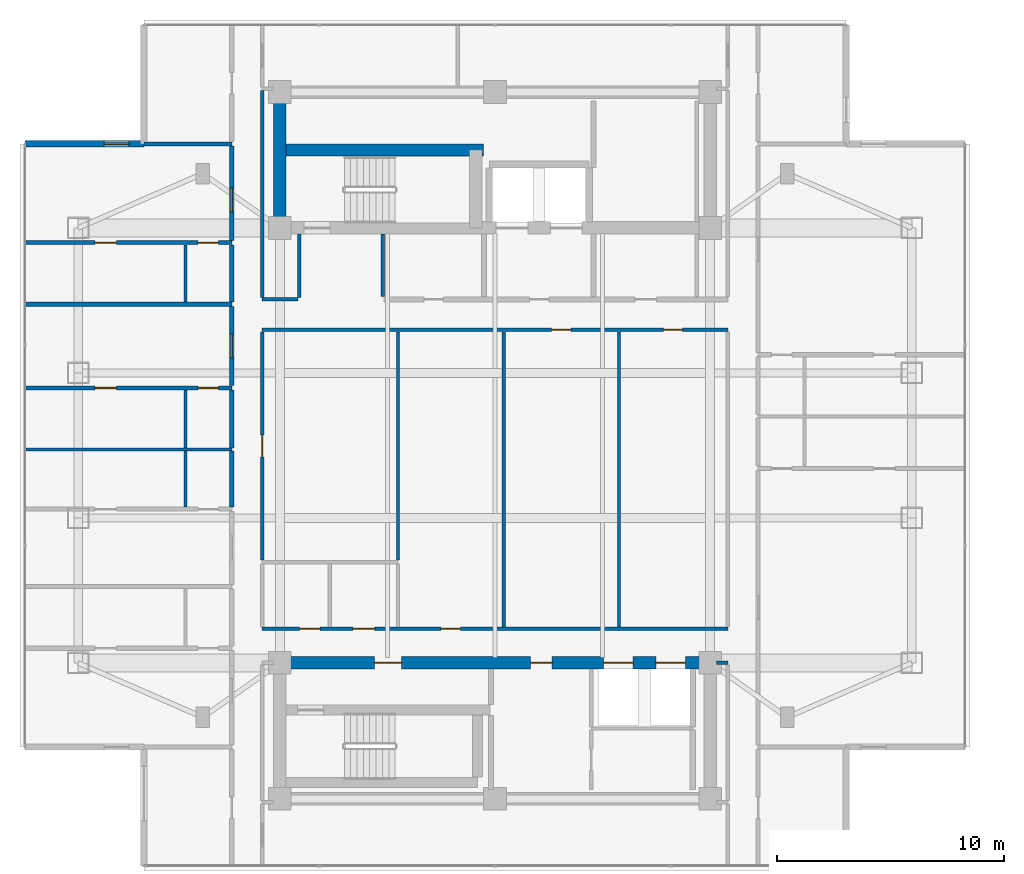
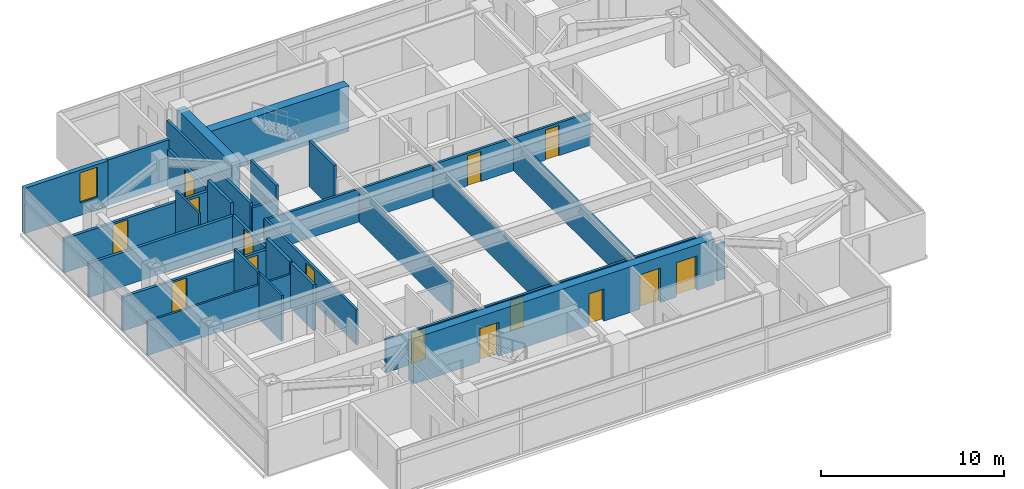
# One storey, part 13 of 24: 28 walls, 16 doors, 1 window, 17 openings.
"""IFC4 building model written with IfcOpenShell, lengths in metres."""

from ifc_helpers import new_model, si_unit, direction, frame, frame_2d, origin, place, context, subcontext, project, spatial, rectangle, extrude, material, layer, layer_set, type_object, element, fill, save


model = new_model("IFC4")

# Units and contexts
model_context = context("Model", 3, precision=1e-05, world=origin(), true_north=direction((0.0, 1.0)))
body_context = subcontext(model_context, "Body", "Model", "MODEL_VIEW")
ifc_project = project(units=[si_unit("LENGTHUNIT", "METRE"), si_unit("AREAUNIT", "SQUARE_METRE"), si_unit("VOLUMEUNIT", "CUBIC_METRE"), si_unit("PLANEANGLEUNIT", "RADIAN"), si_unit("MASSUNIT", "GRAM", prefix="KILO")], contexts=[model_context])

# Site, building, storey
site_placement = place(None, origin())
site = spatial("IfcSite", under=ifc_project, at=site_placement, CompositionType="ELEMENT")
building_placement = place(site_placement, origin())
building = spatial("IfcBuilding", under=site, at=building_placement, Name="Mirazonda Arch Towers", CompositionType="ELEMENT")
storey_placement = place(building_placement, frame((0.0, 0.0, 167.39990234375)))
storey = spatial("IfcBuildingStorey", under=building, at=storey_placement, Name="L47", CompositionType="ELEMENT", Elevation=167.39990234375)

# Walls
ifc_material_1 = material(Name="Concrete C50/60", Category="concrete")
ifc_layer_1 = layer(ifc_material_1, 0.550048828125, Name="WALL-CORE-550")
ifc_layer_set_1 = layer_set([ifc_layer_1], Name="Concrete C50/60")
wall_type_1 = type_object("IfcWallType", Name="WALL-CORE-550", PredefinedType="SHEAR", material=ifc_layer_set_1)
wall_1_placement = place(storey_placement, frame((11.0, 37.60009765625, 0.0), z_axis=(0.0, 0.0, 1.0), x_axis=(0.0, 1.0, 0.0)))
element("IfcWall", 1, at=wall_1_placement, inside=storey, type_object=wall_type_1, Name="L47 T1N-W Core Shear Wall", PredefinedType="SHEAR", context=body_context, shape_type="SweptSolid", body=[
    extrude(rectangle(XDim=6.0, YDim=0.550048828125, at=frame_2d((3.0, 0.0))), origin(), (0.0, 0.0, 1.0), 3.050048828125),
])
wall_2_placement = place(storey_placement, frame((11.0, 41.04296875, 0.0), z_axis=(0.0, 0.0, 1.0), x_axis=(1.0, 0.0, 0.0)))
element("IfcWall", 2, at=wall_2_placement, inside=storey, type_object=wall_type_1, Name="L47 T1N-STN Core Shear Wall", PredefinedType="SHEAR", context=body_context, shape_type="SweptSolid", body=[
    extrude(rectangle(XDim=9.0, YDim=0.550048828125, at=frame_2d((4.5, 0.0))), origin(), (0.0, 0.0, 1.0), 3.050048828125),
])

# Wall, openings, doors
wall_3_placement = place(storey_placement, frame((11.0, 18.39990234375, 0.0), z_axis=(0.0, 0.0, 1.0), x_axis=(1.0, 0.0, 0.0)))
wall_3 = element("IfcWall", 3, at=wall_3_placement, inside=storey, type_object=wall_type_1, Name="L47 T1S-N Core Shear Wall", PredefinedType="SHEAR", context=body_context, shape_type="SweptSolid", body=[
    extrude(rectangle(XDim=19.0, YDim=0.550048828125, at=frame_2d((9.5, 0.0))), origin(), (0.0, 0.0, 1.0), 3.050048828125),
])
opening_1_placement = place(wall_3_placement, frame((4.175048828125, 0.0, 0.0)))
opening_1 = element("IfcOpeningElement", 4, at=opening_1_placement, cuts=wall_3, Name="Opening DR-117", PredefinedType="OPENING", context=body_context, shape_type="SweptSolid", body=[
    extrude(rectangle(XDim=1.199951171875, YDim=2.25, at=frame_2d((0.60009765625, 1.125))), frame((0.0, 0.284912109375, 0.0), z_axis=(0.0, -1.0, 0.0), x_axis=(1.0, 0.0, 0.0)), (0.0, 0.0, 1.0), 0.570068359375),
])
opening_2_placement = place(wall_3_placement, frame((11.074951171875, 0.0, 0.0)))
opening_2 = element("IfcOpeningElement", 5, at=opening_2_placement, cuts=wall_3, Name="Opening DR-104", PredefinedType="OPENING", context=body_context, shape_type="SweptSolid", body=[
    extrude(rectangle(XDim=0.949951171875, YDim=2.14990234375, at=frame_2d((0.47509765625, 1.074951171875))), frame((0.0, 0.284912109375, 0.0), z_axis=(0.0, -1.0, 0.0), x_axis=(1.0, 0.0, 0.0)), (0.0, 0.0, 1.0), 0.570068359375),
])
opening_3_placement = place(wall_3_placement, frame((14.300048828125, 0.0, 0.0)))
opening_3 = element("IfcOpeningElement", 6, at=opening_3_placement, cuts=wall_3, Name="Opening LD-111", PredefinedType="OPENING", context=body_context, shape_type="SweptSolid", body=[
    extrude(rectangle(XDim=1.300048828125, YDim=2.300048828125, at=frame_2d((0.64990234375, 1.14990234375))), frame((0.0, 0.284912109375, 0.0), z_axis=(0.0, -1.0, 0.0), x_axis=(1.0, 0.0, 0.0)), (0.0, 0.0, 1.0), 0.570068359375),
])
opening_4_placement = place(wall_3_placement, frame((16.60009765625, 0.0, 0.0)))
opening_4 = element("IfcOpeningElement", 7, at=opening_4_placement, cuts=wall_3, Name="Opening LD-111", PredefinedType="OPENING", context=body_context, shape_type="SweptSolid", body=[
    extrude(rectangle(XDim=1.300048828125, YDim=2.300048828125, at=frame_2d((0.64990234375, 1.14990234375))), frame((0.0, 0.284912109375, 0.0), z_axis=(0.0, -1.0, 0.0), x_axis=(1.0, 0.0, 0.0)), (0.0, 0.0, 1.0), 0.570068359375),
])
ifc_material_2 = material(Name="Architectural Brushed Steel S355", Category="steel")
door_type_1 = type_object("IfcDoorType", Name="DOOR-FFL-FD90-1200", OperationType="NOTDEFINED", PredefinedType="DOOR", material=ifc_material_2)
door_1_placement = place(opening_1_placement, origin())
door_1 = element("IfcDoor", 8, at=door_1_placement, inside=storey, type_object=door_type_1, Name="L47 South Core Stair & Lift Lobby Door", OperationType="SINGLE_SWING_LEFT", OverallHeight=2.25, OverallWidth=1.199951171875, PredefinedType="DOOR", context=body_context, shape_type="SweptSolid", body=[
    extrude(rectangle(XDim=1.199951171875, YDim=2.25, at=frame_2d((0.60009765625, 1.125))), frame((0.0, 0.02490234375, 0.0), z_axis=(0.0, -1.0, 0.0), x_axis=(1.0, 0.0, 0.0)), (0.0, 0.0, 1.0), 0.050048828125),
])
fill(opening_1, door_1)
door_type_2 = type_object("IfcDoorType", Name="DOOR-LIFT-LAND-1300", OperationType="NOTDEFINED", PredefinedType="DOOR", material=ifc_material_2)
door_2_placement = place(opening_3_placement, origin())
door_2 = element("IfcDoor", 9, at=door_2_placement, inside=storey, type_object=door_type_2, Name="L47 Lift Landing Sliding Door PL-T1H1", OperationType="DOUBLE_DOOR_SLIDING", OverallHeight=2.300048828125, OverallWidth=1.300048828125, PredefinedType="DOOR", context=body_context, shape_type="SweptSolid", body=[
    extrude(rectangle(XDim=1.300048828125, YDim=2.300048828125, at=frame_2d((0.64990234375, 1.14990234375))), frame((0.0, 0.02490234375, 0.0), z_axis=(0.0, -1.0, 0.0), x_axis=(1.0, 0.0, 0.0)), (0.0, 0.0, 1.0), 0.050048828125),
])
fill(opening_3, door_2)
door_3_placement = place(opening_4_placement, origin())
door_3 = element("IfcDoor", 10, at=door_3_placement, inside=storey, type_object=door_type_2, Name="L47 Lift Landing Sliding Door PL-T1H2", OperationType="DOUBLE_DOOR_SLIDING", OverallHeight=2.300048828125, OverallWidth=1.300048828125, PredefinedType="DOOR", context=body_context, shape_type="SweptSolid", body=[
    extrude(rectangle(XDim=1.300048828125, YDim=2.300048828125, at=frame_2d((0.64990234375, 1.14990234375))), frame((0.0, 0.02490234375, 0.0), z_axis=(0.0, -1.0, 0.0), x_axis=(1.0, 0.0, 0.0)), (0.0, 0.0, 1.0), 0.050048828125),
])
fill(opening_4, door_3)
door_type_3 = type_object("IfcDoorType", Name="DOOR-ROOM-950", OperationType="NOTDEFINED", PredefinedType="DOOR", material=ifc_material_2)
door_4_placement = place(opening_2_placement, origin())
door_4 = element("IfcDoor", 11, at=door_4_placement, inside=storey, type_object=door_type_3, Name="L47 Residents Wine Tasting Lounge Door", OperationType="SINGLE_SWING_LEFT", OverallHeight=2.14990234375, OverallWidth=0.949951171875, PredefinedType="DOOR", context=body_context, shape_type="SweptSolid", body=[
    extrude(rectangle(XDim=0.949951171875, YDim=2.14990234375, at=frame_2d((0.47509765625, 1.074951171875))), frame((0.0, 0.02490234375, 0.0), z_axis=(0.0, -1.0, 0.0), x_axis=(1.0, 0.0, 0.0)), (0.0, 0.0, 1.0), 0.050048828125),
])
fill(opening_2, door_4)

# Wall, opening, window
ifc_material_3 = material(Name="Precast Concrete C40/50", Category="concrete")
ifc_layer_2 = layer(ifc_material_3, 0.280029296875, Name="WALL-EXT-WALL-280")
ifc_layer_set_2 = layer_set([ifc_layer_2], Name="Precast Concrete C40/50")
wall_type_2 = type_object("IfcWallType", Name="WALL-EXT-WALL-280", PredefinedType="SOLIDWALL", material=ifc_layer_set_2)
wall_4_placement = place(storey_placement, frame((4.9951171875, 41.31689453125, 0.0), z_axis=(0.0, 0.0, 1.0), x_axis=(-1.0, 0.0, 0.0)))
wall_4 = element("IfcWall", 12, at=wall_4_placement, inside=storey, type_object=wall_type_2, Name="L47 T1 Corner Notch Return Wall WL-L47-T1-CNW1", PredefinedType="SOLIDWALL", context=body_context, shape_type="SweptSolid", body=[
    extrude(rectangle(XDim=5.2451171875, YDim=0.280029296875, at=frame_2d((2.62255859375, 0.0))), origin(), (0.0, 0.0, 1.0), 3.030029296875),
])
opening_5_placement = place(wall_4_placement, frame((0.64990234375, 0.0, 0.85009765625)))
opening_5 = element("IfcOpeningElement", 13, at=opening_5_placement, cuts=wall_4, Name="Opening WN-108", PredefinedType="OPENING", context=body_context, shape_type="SweptSolid", body=[
    extrude(rectangle(XDim=1.10009765625, YDim=2.0, at=frame_2d((0.550048828125, 1.0))), frame((0.0, 0.14990234375, 0.0), z_axis=(0.0, -1.0, 0.0), x_axis=(1.0, 0.0, 0.0)), (0.0, 0.0, 1.0), 0.300048828125),
])
ifc_material_4 = material(Name="Insulated Low-E Solar Glass", Category="glass")
window_type = type_object("IfcWindowType", Name="WIN-NOTCH-1100x2000", PartitioningType="SINGLE_PANEL", PredefinedType="WINDOW", material=ifc_material_4)
window_placement = place(opening_5_placement, origin())
window = element("IfcWindow", 14, at=window_placement, inside=storey, type_object=window_type, Name="L47 Punched Facade Window WN-L47-T1-CNW1", OverallHeight=2.0, OverallWidth=1.10009765625, PartitioningType="SINGLE_PANEL", PredefinedType="WINDOW", context=body_context, shape_type="SweptSolid", body=[
    extrude(rectangle(XDim=1.10009765625, YDim=2.0, at=frame_2d((0.550048828125, 1.0))), frame((0.0, 0.030029296875, 0.0), z_axis=(0.0, -1.0, 0.0), x_axis=(1.0, 0.0, 0.0)), (0.0, 0.0, 1.0), 0.06005859375),
])
fill(opening_5, window)

# Wall
ifc_material_5 = material(Name="Fire-Rated Gypsum Stud Partition")
ifc_layer_3 = layer(ifc_material_5, 0.14990234375, Name="WALL-PART-CORR-150")
ifc_layer_set_3 = layer_set([ifc_layer_3], Name="Fire-Rated Gypsum Stud Partition")
wall_type_3 = type_object("IfcWallType", Name="WALL-PART-CORR-150", PredefinedType="PARTITIONING", material=ifc_layer_set_3)
wall_5_placement = place(storey_placement, frame((30.27001953125, 18.39990234375, 0.0), z_axis=(0.0, 0.0, 1.0), x_axis=(1.0, 0.0, 0.0)))
element("IfcWall", 15, at=wall_5_placement, inside=storey, type_object=wall_type_3, Name="L47 Interior Partition 012", PredefinedType="PARTITIONING", context=body_context, shape_type="SweptSolid", body=[
    extrude(rectangle(XDim=0.510009765625, YDim=0.14990234375, at=frame_2d((0.2548828125, 0.0))), origin(), (0.0, 0.0, 1.0), 2.442138671875),
])

# Wall, openings, doors
wall_6_placement = place(storey_placement, frame((10.219970703125, 19.89990234375, 0.0), z_axis=(0.0, 0.0, 1.0), x_axis=(1.0, 0.0, 0.0)))
wall_6 = element("IfcWall", 16, at=wall_6_placement, inside=storey, type_object=wall_type_3, Name="L47 Interior Partition 015", PredefinedType="PARTITIONING", context=body_context, shape_type="SweptSolid", body=[
    extrude(rectangle(XDim=20.56005859375, YDim=0.14990234375, at=frame_2d((10.280029296875, 0.0))), origin(), (0.0, 0.0, 1.0), 2.18603515625),
])
opening_6_placement = place(wall_6_placement, frame((1.659912109375, 0.0, 0.0)))
opening_6 = element("IfcOpeningElement", 17, at=opening_6_placement, cuts=wall_6, Name="Opening DR-120", PredefinedType="OPENING", context=body_context, shape_type="SweptSolid", body=[
    extrude(rectangle(XDim=0.89990234375, YDim=2.10009765625, at=frame_2d((0.449951171875, 1.050048828125))), frame((0.0, 0.0849609375, 0.0), z_axis=(0.0, -1.0, 0.0), x_axis=(1.0, 0.0, 0.0)), (0.0, 0.0, 1.0), 0.169921875),
])
opening_7_placement = place(wall_6_placement, frame((4.014892578125, 0.0, 0.0)))
opening_7 = element("IfcOpeningElement", 18, at=opening_7_placement, cuts=wall_6, Name="Opening DR-104", PredefinedType="OPENING", context=body_context, shape_type="SweptSolid", body=[
    extrude(rectangle(XDim=0.949951171875, YDim=2.14990234375, at=frame_2d((0.47509765625, 1.074951171875))), frame((0.0, 0.0849609375, 0.0), z_axis=(0.0, -1.0, 0.0), x_axis=(1.0, 0.0, 0.0)), (0.0, 0.0, 1.0), 0.169921875),
])
opening_8_placement = place(wall_6_placement, frame((7.904541015625, 0.0, 0.0)))
opening_8 = element("IfcOpeningElement", 19, at=opening_8_placement, cuts=wall_6, Name="Opening DR-128", PredefinedType="OPENING", context=body_context, shape_type="SweptSolid", body=[
    extrude(rectangle(XDim=0.85009765625, YDim=2.010009765625, at=frame_2d((0.425048828125, 1.0048828125))), frame((0.0, 0.0849609375, 0.0), z_axis=(0.0, -1.0, 0.0), x_axis=(1.0, 0.0, 0.0)), (0.0, 0.0, 1.0), 0.169921875),
])
door_type_4 = type_object("IfcDoorType", Name="DOOR-RISER-FD60-850", OperationType="NOTDEFINED", PredefinedType="DOOR", material=ifc_material_2)
door_5_placement = place(opening_8_placement, origin())
door_5 = element("IfcDoor", 20, at=door_5_placement, inside=storey, type_object=door_type_4, Name="L47 Executive Club Lounge Door", OperationType="SINGLE_SWING_RIGHT", OverallHeight=2.010009765625, OverallWidth=0.85009765625, PredefinedType="DOOR", context=body_context, shape_type="SweptSolid", body=[
    extrude(rectangle(XDim=0.85009765625, YDim=2.010009765625, at=frame_2d((0.425048828125, 1.0048828125))), frame((0.0, 0.02490234375, 0.0), z_axis=(0.0, -1.0, 0.0), x_axis=(1.0, 0.0, 0.0)), (0.0, 0.0, 1.0), 0.050048828125),
])
fill(opening_8, door_5)
door_6_placement = place(opening_7_placement, origin())
door_6 = element("IfcDoor", 21, at=door_6_placement, inside=storey, type_object=door_type_3, Name="L47 L47 West Courtyard Study Door", OperationType="SINGLE_SWING_RIGHT", OverallHeight=2.14990234375, OverallWidth=0.949951171875, PredefinedType="DOOR", context=body_context, shape_type="SweptSolid", body=[
    extrude(rectangle(XDim=0.949951171875, YDim=2.14990234375, at=frame_2d((0.47509765625, 1.074951171875))), frame((0.0, 0.02490234375, 0.0), z_axis=(0.0, -1.0, 0.0), x_axis=(1.0, 0.0, 0.0)), (0.0, 0.0, 1.0), 0.050048828125),
])
fill(opening_7, door_6)
door_type_5 = type_object("IfcDoorType", Name="DOOR-WC-900", OperationType="NOTDEFINED", PredefinedType="DOOR", material=ifc_material_2)
door_7_placement = place(opening_6_placement, origin())
door_7 = element("IfcDoor", 22, at=door_7_placement, inside=storey, type_object=door_type_5, Name="L47 Common Accessible WC Door", OperationType="SINGLE_SWING_LEFT", OverallHeight=2.10009765625, OverallWidth=0.89990234375, PredefinedType="DOOR", context=body_context, shape_type="SweptSolid", body=[
    extrude(rectangle(XDim=0.89990234375, YDim=2.10009765625, at=frame_2d((0.449951171875, 1.050048828125))), frame((0.0, 0.02490234375, 0.0), z_axis=(0.0, -1.0, 0.0), x_axis=(1.0, 0.0, 0.0)), (0.0, 0.0, 1.0), 0.050048828125),
])
fill(opening_6, door_7)

wall_7_placement = place(storey_placement, frame((10.219970703125, 33.10009765625, 0.0), z_axis=(0.0, 0.0, 1.0), x_axis=(1.0, 0.0, 0.0)))
wall_7 = element("IfcWall", 23, at=wall_7_placement, inside=storey, type_object=wall_type_3, Name="L47 Interior Partition 045", PredefinedType="PARTITIONING", context=body_context, shape_type="SweptSolid", body=[
    extrude(rectangle(XDim=20.56005859375, YDim=0.14990234375, at=frame_2d((10.280029296875, 0.0))), origin(), (0.0, 0.0, 1.0), 2.18603515625),
])
opening_9_placement = place(wall_7_placement, frame((12.781982421875, 0.0, 0.0)))
opening_9 = element("IfcOpeningElement", 24, at=opening_9_placement, cuts=wall_7, Name="Opening DR-128", PredefinedType="OPENING", context=body_context, shape_type="SweptSolid", body=[
    extrude(rectangle(XDim=0.85009765625, YDim=2.010009765625, at=frame_2d((0.425048828125, 1.0048828125))), frame((0.0, 0.0849609375, 0.0), z_axis=(0.0, -1.0, 0.0), x_axis=(1.0, 0.0, 0.0)), (0.0, 0.0, 1.0), 0.169921875),
])
opening_10_placement = place(wall_7_placement, frame((17.71240234375, 0.0, 0.0)))
opening_10 = element("IfcOpeningElement", 25, at=opening_10_placement, cuts=wall_7, Name="Opening DR-128", PredefinedType="OPENING", context=body_context, shape_type="SweptSolid", body=[
    extrude(rectangle(XDim=0.85009765625, YDim=2.010009765625, at=frame_2d((0.425048828125, 1.0048828125))), frame((0.0, 0.0849609375, 0.0), z_axis=(0.0, -1.0, 0.0), x_axis=(1.0, 0.0, 0.0)), (0.0, 0.0, 1.0), 0.169921875),
])
door_8_placement = place(opening_9_placement, origin())
door_8 = element("IfcDoor", 26, at=door_8_placement, inside=storey, type_object=door_type_4, Name="L47 Concierge Salon Door", OperationType="SINGLE_SWING_LEFT", OverallHeight=2.010009765625, OverallWidth=0.85009765625, PredefinedType="DOOR", context=body_context, shape_type="SweptSolid", body=[
    extrude(rectangle(XDim=0.85009765625, YDim=2.010009765625, at=frame_2d((0.425048828125, 1.0048828125))), frame((0.0, 0.02490234375, 0.0), z_axis=(0.0, -1.0, 0.0), x_axis=(1.0, 0.0, 0.0)), (0.0, 0.0, 1.0), 0.050048828125),
])
fill(opening_9, door_8)
door_9_placement = place(opening_10_placement, origin())
door_9 = element("IfcDoor", 27, at=door_9_placement, inside=storey, type_object=door_type_4, Name="L47 Private Meeting Suite Door", OperationType="SINGLE_SWING_RIGHT", OverallHeight=2.010009765625, OverallWidth=0.85009765625, PredefinedType="DOOR", context=body_context, shape_type="SweptSolid", body=[
    extrude(rectangle(XDim=0.85009765625, YDim=2.010009765625, at=frame_2d((0.425048828125, 1.0048828125))), frame((0.0, 0.02490234375, 0.0), z_axis=(0.0, -1.0, 0.0), x_axis=(1.0, 0.0, 0.0)), (0.0, 0.0, 1.0), 0.050048828125),
])
fill(opening_10, door_9)

# Wall
wall_8_placement = place(storey_placement, frame((10.219970703125, 34.449951171875, 0.0), z_axis=(0.0, 0.0, 1.0), x_axis=(1.0, 0.0, 0.0)))
element("IfcWall", 28, at=wall_8_placement, inside=storey, type_object=wall_type_3, Name="L47 Interior Partition 047", PredefinedType="PARTITIONING", context=body_context, shape_type="SweptSolid", body=[
    extrude(rectangle(XDim=1.580078125, YDim=0.14990234375, at=frame_2d((0.7900390625, 0.0))), origin(), (0.0, 0.0, 1.0), 2.18603515625),
])

# Wall, opening, door
wall_9_placement = place(storey_placement, frame((10.219970703125, 22.93505859375, 0.0), z_axis=(0.0, 0.0, 1.0), x_axis=(0.0, 1.0, 0.0)))
wall_9 = element("IfcWall", 29, at=wall_9_placement, inside=storey, type_object=wall_type_3, Name="L47 Interior Partition 078", PredefinedType="PARTITIONING", context=body_context, shape_type="SweptSolid", body=[
    extrude(rectangle(XDim=10.079833984375, YDim=0.14990234375, at=frame_2d((5.0400390625, 0.0))), origin(), (0.0, 0.0, 1.0), 2.34619140625),
])
opening_11_placement = place(wall_9_placement, frame((4.56494140625, 0.0, 0.0)))
opening_11 = element("IfcOpeningElement", 30, at=opening_11_placement, cuts=wall_9, Name="Opening DR-104", PredefinedType="OPENING", context=body_context, shape_type="SweptSolid", body=[
    extrude(rectangle(XDim=0.949951171875, YDim=2.14990234375, at=frame_2d((0.47509765625, 1.074951171875))), frame((0.0, 0.0849609375, 0.0), z_axis=(0.0, -1.0, 0.0), x_axis=(1.0, 0.0, 0.0)), (0.0, 0.0, 1.0), 0.169921875),
])
door_10_placement = place(opening_11_placement, origin())
door_10 = element("IfcDoor", 31, at=door_10_placement, inside=storey, type_object=door_type_3, Name="L47 L47 West Courtyard Salon Door", OperationType="SINGLE_SWING_LEFT", OverallHeight=2.14990234375, OverallWidth=0.949951171875, PredefinedType="DOOR", context=body_context, shape_type="SweptSolid", body=[
    extrude(rectangle(XDim=0.949951171875, YDim=2.14990234375, at=frame_2d((0.47509765625, 1.074951171875))), frame((0.0, 0.02490234375, 0.0), z_axis=(0.0, -1.0, 0.0), x_axis=(1.0, 0.0, 0.0)), (0.0, 0.0, 1.0), 0.050048828125),
])
fill(opening_11, door_10)

# Walls
wall_10_placement = place(storey_placement, frame((10.219970703125, 34.534912109375, 0.0), z_axis=(0.0, 0.0, 1.0), x_axis=(0.0, 1.0, 0.0)))
element("IfcWall", 32, at=wall_10_placement, inside=storey, type_object=wall_type_3, Name="L47 Interior Partition 079", PredefinedType="PARTITIONING", context=body_context, shape_type="SweptSolid", body=[
    extrude(rectangle(XDim=9.130126953125, YDim=0.14990234375, at=frame_2d((4.56494140625, 0.0))), origin(), (0.0, 0.0, 1.0), 2.442138671875),
])
wall_11_placement = place(storey_placement, frame((11.85009765625, 34.534912109375, 0.0), z_axis=(0.0, 0.0, 1.0), x_axis=(0.0, 1.0, 0.0)))
element("IfcWall", 33, at=wall_11_placement, inside=storey, type_object=wall_type_3, Name="L47 Interior Partition 081", PredefinedType="PARTITIONING", context=body_context, shape_type="SweptSolid", body=[
    extrude(rectangle(XDim=2.795166015625, YDim=0.14990234375, at=frame_2d((1.3974609375, 0.0))), origin(), (0.0, 0.0, 1.0), 3.050048828125),
])
wall_12_placement = place(storey_placement, frame((15.550048828125, 34.570068359375, 0.0), z_axis=(0.0, 0.0, 1.0), x_axis=(0.0, 1.0, 0.0)))
element("IfcWall", 34, at=wall_12_placement, inside=storey, type_object=wall_type_3, Name="L47 Interior Partition 083", PredefinedType="PARTITIONING", context=body_context, shape_type="SweptSolid", body=[
    extrude(rectangle(XDim=2.760009765625, YDim=0.14990234375, at=frame_2d((1.3798828125, 0.0))), origin(), (0.0, 0.0, 1.0), 3.050048828125),
])
wall_13_placement = place(storey_placement, frame((16.219970703125, 22.93505859375, 0.0), z_axis=(0.0, 0.0, 1.0), x_axis=(0.0, 1.0, 0.0)))
element("IfcWall", 35, at=wall_13_placement, inside=storey, type_object=wall_type_3, Name="L47 Interior Partition 085", PredefinedType="PARTITIONING", context=body_context, shape_type="SweptSolid", body=[
    extrude(rectangle(XDim=10.079833984375, YDim=0.14990234375, at=frame_2d((5.0400390625, 0.0))), origin(), (0.0, 0.0, 1.0), 2.18603515625),
])
for number, where, z_axis, x_axis, name in (
    (36, (20.87890625, 19.985107421875, 0.0), (0.0, 0.0, 1.0), (0.0, 1.0, 0.0), "L47 Interior Partition 092"),
    (37, (25.97509765625, 19.985107421875, 0.0), (0.0, 0.0, 1.0), (0.0, 1.0, 0.0), "L47 Interior Partition 098"),
):
    element("IfcWall", number, at=place(storey_placement, frame(where, z_axis=z_axis, x_axis=x_axis)), inside=storey, type_object=wall_type_3, Name=name, PredefinedType="PARTITIONING", context=body_context, shape_type="SweptSolid", body=[
        extrude(rectangle(XDim=13.02978515625, YDim=0.14990234375, at=frame_2d((6.514892578125, 0.0))), origin(), (0.0, 0.0, 1.0), 2.18603515625),
    ])

# Wall, openings, doors
ifc_material_6 = material(Name="Fire-Rated Gypsum Twin-Stud Assembly")
ifc_layer_4 = layer(ifc_material_6, 0.179931640625, Name="WALL-PART-DEMISE-180")
ifc_layer_set_4 = layer_set([ifc_layer_4], Name="Fire-Rated Gypsum Twin-Stud Assembly")
wall_type_4 = type_object("IfcWallType", Name="WALL-PART-DEMISE-180", PredefinedType="PARTITIONING", material=ifc_layer_set_4)
wall_14_placement = place(storey_placement, frame((-0.25, 30.537109375, 0.0), z_axis=(0.0, 0.0, 1.0), x_axis=(1.0, 0.0, 0.0)))
wall_14 = element("IfcWall", 38, at=wall_14_placement, inside=storey, type_object=wall_type_4, Name="L47 Interior Partition 037", PredefinedType="PARTITIONING", context=body_context, shape_type="SweptSolid", body=[
    extrude(rectangle(XDim=9.1298828125, YDim=0.179931640625, at=frame_2d((4.56494140625, 0.0))), origin(), (0.0, 0.0, 1.0), 2.26904296875),
])
opening_12_placement = place(wall_14_placement, frame((3.090087890625, 0.0, 0.0)))
opening_12 = element("IfcOpeningElement", 39, at=opening_12_placement, cuts=wall_14, Name="Opening DR-104", PredefinedType="OPENING", context=body_context, shape_type="SweptSolid", body=[
    extrude(rectangle(XDim=0.949951171875, YDim=2.14990234375, at=frame_2d((0.47509765625, 1.074951171875))), frame((0.0, 0.099853515625, 0.0), z_axis=(0.0, -1.0, 0.0), x_axis=(1.0, 0.0, 0.0)), (0.0, 0.0, 1.0), 0.199951171875),
])
opening_13_placement = place(wall_14_placement, frame((7.639892578125, 0.0, 0.0)))
opening_13 = element("IfcOpeningElement", 40, at=opening_13_placement, cuts=wall_14, Name="Opening DR-120", PredefinedType="OPENING", context=body_context, shape_type="SweptSolid", body=[
    extrude(rectangle(XDim=0.89990234375, YDim=2.10009765625, at=frame_2d((0.449951171875, 1.050048828125))), frame((0.0, 0.099853515625, 0.0), z_axis=(0.0, -1.0, 0.0), x_axis=(1.0, 0.0, 0.0)), (0.0, 0.0, 1.0), 0.199951171875),
])
door_11_placement = place(opening_12_placement, origin())
door_11 = element("IfcDoor", 41, at=door_11_placement, inside=storey, type_object=door_type_3, Name="L47 Guestroom Study 3 Door", OperationType="SINGLE_SWING_LEFT", OverallHeight=2.14990234375, OverallWidth=0.949951171875, PredefinedType="DOOR", context=body_context, shape_type="SweptSolid", body=[
    extrude(rectangle(XDim=0.949951171875, YDim=2.14990234375, at=frame_2d((0.47509765625, 1.074951171875))), frame((0.0, 0.02490234375, 0.0), z_axis=(0.0, -1.0, 0.0), x_axis=(1.0, 0.0, 0.0)), (0.0, 0.0, 1.0), 0.050048828125),
])
fill(opening_12, door_11)
door_12_placement = place(opening_13_placement, origin())
door_12 = element("IfcDoor", 42, at=door_12_placement, inside=storey, type_object=door_type_5, Name="L47 En-Suite Bathroom 3 Door", OperationType="SINGLE_SWING_RIGHT", OverallHeight=2.10009765625, OverallWidth=0.89990234375, PredefinedType="DOOR", context=body_context, shape_type="SweptSolid", body=[
    extrude(rectangle(XDim=0.89990234375, YDim=2.10009765625, at=frame_2d((0.449951171875, 1.050048828125))), frame((0.0, 0.02490234375, 0.0), z_axis=(0.0, -1.0, 0.0), x_axis=(1.0, 0.0, 0.0)), (0.0, 0.0, 1.0), 0.050048828125),
])
fill(opening_13, door_12)

# Wall
wall_15_placement = place(storey_placement, frame((-0.25, 34.23388671875, 0.0), z_axis=(0.0, 0.0, 1.0), x_axis=(1.0, 0.0, 0.0)))
element("IfcWall", 43, at=wall_15_placement, inside=storey, type_object=wall_type_4, Name="L47 Interior Partition 046", PredefinedType="PARTITIONING", context=body_context, shape_type="SweptSolid", body=[
    extrude(rectangle(XDim=9.1298828125, YDim=0.179931640625, at=frame_2d((4.56494140625, 0.0))), origin(), (0.0, 0.0, 1.0), 2.26904296875),
])

# Wall, openings, doors
wall_16_placement = place(storey_placement, frame((-0.25, 36.9541015625, 0.0), z_axis=(0.0, 0.0, 1.0), x_axis=(1.0, 0.0, 0.0)))
wall_16 = element("IfcWall", 44, at=wall_16_placement, inside=storey, type_object=wall_type_4, Name="L47 Interior Partition 051", PredefinedType="PARTITIONING", context=body_context, shape_type="SweptSolid", body=[
    extrude(rectangle(XDim=9.1298828125, YDim=0.179931640625, at=frame_2d((4.56494140625, 0.0))), origin(), (0.0, 0.0, 1.0), 2.26904296875),
])
opening_14_placement = place(wall_16_placement, frame((3.090087890625, 0.0, 0.0)))
opening_14 = element("IfcOpeningElement", 45, at=opening_14_placement, cuts=wall_16, Name="Opening DR-104", PredefinedType="OPENING", context=body_context, shape_type="SweptSolid", body=[
    extrude(rectangle(XDim=0.949951171875, YDim=2.14990234375, at=frame_2d((0.47509765625, 1.074951171875))), frame((0.0, 0.099853515625, 0.0), z_axis=(0.0, -1.0, 0.0), x_axis=(1.0, 0.0, 0.0)), (0.0, 0.0, 1.0), 0.199951171875),
])
opening_15_placement = place(wall_16_placement, frame((7.639892578125, 0.0, 0.0)))
opening_15 = element("IfcOpeningElement", 46, at=opening_15_placement, cuts=wall_16, Name="Opening DR-120", PredefinedType="OPENING", context=body_context, shape_type="SweptSolid", body=[
    extrude(rectangle(XDim=0.89990234375, YDim=2.10009765625, at=frame_2d((0.449951171875, 1.050048828125))), frame((0.0, 0.099853515625, 0.0), z_axis=(0.0, -1.0, 0.0), x_axis=(1.0, 0.0, 0.0)), (0.0, 0.0, 1.0), 0.199951171875),
])
door_13_placement = place(opening_14_placement, origin())
door_13 = element("IfcDoor", 47, at=door_13_placement, inside=storey, type_object=door_type_3, Name="L47 Guestroom Study 4 Door", OperationType="SINGLE_SWING_RIGHT", OverallHeight=2.14990234375, OverallWidth=0.949951171875, PredefinedType="DOOR", context=body_context, shape_type="SweptSolid", body=[
    extrude(rectangle(XDim=0.949951171875, YDim=2.14990234375, at=frame_2d((0.47509765625, 1.074951171875))), frame((0.0, 0.02490234375, 0.0), z_axis=(0.0, -1.0, 0.0), x_axis=(1.0, 0.0, 0.0)), (0.0, 0.0, 1.0), 0.050048828125),
])
fill(opening_14, door_13)
door_14_placement = place(opening_15_placement, origin())
door_14 = element("IfcDoor", 48, at=door_14_placement, inside=storey, type_object=door_type_5, Name="L47 En-Suite Bathroom 4 Door", OperationType="SINGLE_SWING_LEFT", OverallHeight=2.10009765625, OverallWidth=0.89990234375, PredefinedType="DOOR", context=body_context, shape_type="SweptSolid", body=[
    extrude(rectangle(XDim=0.89990234375, YDim=2.10009765625, at=frame_2d((0.449951171875, 1.050048828125))), frame((0.0, 0.02490234375, 0.0), z_axis=(0.0, -1.0, 0.0), x_axis=(1.0, 0.0, 0.0)), (0.0, 0.0, 1.0), 0.050048828125),
])
fill(opening_15, door_14)

# Walls
wall_17_placement = place(storey_placement, frame((5.014892578125, 41.31689453125, 0.0), z_axis=(0.0, 0.0, 1.0), x_axis=(1.0, 0.0, 0.0)))
element("IfcWall", 49, at=wall_17_placement, inside=storey, type_object=wall_type_4, Name="L47 Interior Partition 057", PredefinedType="PARTITIONING", context=body_context, shape_type="SweptSolid", body=[
    extrude(rectangle(XDim=3.864990234375, YDim=0.179931640625, at=frame_2d((1.9326171875, 0.0))), origin(), (0.0, 0.0, 1.0), 3.050048828125),
])
wall_18_placement = place(storey_placement, frame((8.8798828125, 25.2890625, 0.0), z_axis=(0.0, 0.0, 1.0), x_axis=(0.0, 1.0, 0.0)))
element("IfcWall", 50, at=wall_18_placement, inside=storey, type_object=wall_type_4, Name="L47 Interior Partition 069", PredefinedType="PARTITIONING", context=body_context, shape_type="SweptSolid", body=[
    extrude(rectangle(XDim=2.455322265625, YDim=0.179931640625, at=frame_2d((1.2275390625, 0.0))), origin(), (0.0, 0.0, 1.0), 3.050048828125),
])
wall_19_placement = place(storey_placement, frame((8.8798828125, 27.889404296875, 0.0), z_axis=(0.0, 0.0, 1.0), x_axis=(0.0, 1.0, 0.0)))
element("IfcWall", 51, at=wall_19_placement, inside=storey, type_object=wall_type_4, Name="L47 Interior Partition 070", PredefinedType="PARTITIONING", context=body_context, shape_type="SweptSolid", body=[
    extrude(rectangle(XDim=2.547607421875, YDim=0.179931640625, at=frame_2d((1.27392578125, 0.0))), origin(), (0.0, 0.0, 1.0), 3.050048828125),
])

# Wall, opening, door
wall_20_placement = place(storey_placement, frame((8.8798828125, 30.636962890625, 0.0), z_axis=(0.0, 0.0, 1.0), x_axis=(0.0, 1.0, 0.0)))
wall_20 = element("IfcWall", 52, at=wall_20_placement, inside=storey, type_object=wall_type_4, Name="L47 Interior Partition 071", PredefinedType="PARTITIONING", context=body_context, shape_type="SweptSolid", body=[
    extrude(rectangle(XDim=3.4970703125, YDim=0.179931640625, at=frame_2d((1.74853515625, 0.0))), origin(), (0.0, 0.0, 1.0), 2.34619140625),
])
opening_16_placement = place(wall_20_placement, frame((1.223388671875, 0.0, 0.0)))
opening_16 = element("IfcOpeningElement", 53, at=opening_16_placement, cuts=wall_20, Name="Opening DR-121", PredefinedType="OPENING", context=body_context, shape_type="SweptSolid", body=[
    extrude(rectangle(XDim=1.050048828125, YDim=2.199951171875, at=frame_2d((0.52490234375, 1.10009765625))), frame((0.0, 0.099853515625, 0.0), z_axis=(0.0, -1.0, 0.0), x_axis=(1.0, 0.0, 0.0)), (0.0, 0.0, 1.0), 0.199951171875),
])
door_type_6 = type_object("IfcDoorType", Name="DOOR-SUITE-FD60-1050", OperationType="NOTDEFINED", PredefinedType="DOOR", material=ifc_material_2)
door_15_placement = place(opening_16_placement, origin())
door_15 = element("IfcDoor", 54, at=door_15_placement, inside=storey, type_object=door_type_6, Name="L47 King Hotel Guestroom 3 Door", OperationType="SINGLE_SWING_RIGHT", OverallHeight=2.199951171875, OverallWidth=1.050048828125, PredefinedType="DOOR", context=body_context, shape_type="SweptSolid", body=[
    extrude(rectangle(XDim=1.050048828125, YDim=2.199951171875, at=frame_2d((0.52490234375, 1.10009765625))), frame((0.0, 0.02490234375, 0.0), z_axis=(0.0, -1.0, 0.0), x_axis=(1.0, 0.0, 0.0)), (0.0, 0.0, 1.0), 0.050048828125),
])
fill(opening_16, door_15)

# Wall
wall_21_placement = place(storey_placement, frame((8.8798828125, 34.333984375, 0.0), z_axis=(0.0, 0.0, 1.0), x_axis=(0.0, 1.0, 0.0)))
element("IfcWall", 55, at=wall_21_placement, inside=storey, type_object=wall_type_4, Name="L47 Interior Partition 072", PredefinedType="PARTITIONING", context=body_context, shape_type="SweptSolid", body=[
    extrude(rectangle(XDim=2.52001953125, YDim=0.179931640625, at=frame_2d((1.260009765625, 0.0))), origin(), (0.0, 0.0, 1.0), 3.050048828125),
])

# Wall, opening, door
wall_22_placement = place(storey_placement, frame((8.8798828125, 37.053955078125, 0.0), z_axis=(0.0, 0.0, 1.0), x_axis=(0.0, 1.0, 0.0)))
wall_22 = element("IfcWall", 56, at=wall_22_placement, inside=storey, type_object=wall_type_4, Name="L47 Interior Partition 073", PredefinedType="PARTITIONING", context=body_context, shape_type="SweptSolid", body=[
    extrude(rectangle(XDim=4.1630859375, YDim=0.179931640625, at=frame_2d((2.08154296875, 0.0))), origin(), (0.0, 0.0, 1.0), 2.442138671875),
])
opening_17_placement = place(wall_22_placement, frame((1.256591796875, 0.0, 0.0)))
opening_17 = element("IfcOpeningElement", 57, at=opening_17_placement, cuts=wall_22, Name="Opening DR-121", PredefinedType="OPENING", context=body_context, shape_type="SweptSolid", body=[
    extrude(rectangle(XDim=1.050048828125, YDim=2.199951171875, at=frame_2d((0.52490234375, 1.10009765625))), frame((0.0, 0.099853515625, 0.0), z_axis=(0.0, -1.0, 0.0), x_axis=(1.0, 0.0, 0.0)), (0.0, 0.0, 1.0), 0.199951171875),
])
door_16_placement = place(opening_17_placement, origin())
door_16 = element("IfcDoor", 58, at=door_16_placement, inside=storey, type_object=door_type_6, Name="L47 Twin Hotel Guestroom 4 Door", OperationType="SINGLE_SWING_LEFT", OverallHeight=2.199951171875, OverallWidth=1.050048828125, PredefinedType="DOOR", context=body_context, shape_type="SweptSolid", body=[
    extrude(rectangle(XDim=1.050048828125, YDim=2.199951171875, at=frame_2d((0.52490234375, 1.10009765625))), frame((0.0, 0.02490234375, 0.0), z_axis=(0.0, -1.0, 0.0), x_axis=(1.0, 0.0, 0.0)), (0.0, 0.0, 1.0), 0.050048828125),
])
fill(opening_17, door_16)

# Walls
ifc_material_7 = material(Name="Acoustic Fire-Rated Gypsum Partition")
ifc_layer_5 = layer(ifc_material_7, 0.125, Name="WALL-PART-UNIT-125")
ifc_layer_set_5 = layer_set([ifc_layer_5], Name="Acoustic Fire-Rated Gypsum Partition")
wall_type_5 = type_object("IfcWallType", Name="WALL-PART-UNIT-125", PredefinedType="PARTITIONING", material=ifc_layer_set_5)
wall_23_placement = place(storey_placement, frame((-0.25, 27.81689453125, 0.0), z_axis=(0.0, 0.0, 1.0), x_axis=(1.0, 0.0, 0.0)))
element("IfcWall", 59, at=wall_23_placement, inside=storey, type_object=wall_type_5, Name="L47 Interior Partition 032", PredefinedType="PARTITIONING", context=body_context, shape_type="SweptSolid", body=[
    extrude(rectangle(XDim=9.1298828125, YDim=0.125, at=frame_2d((4.56494140625, 0.0))), origin(), (0.0, 0.0, 1.0), 2.26904296875),
])
wall_24_placement = place(storey_placement, frame((6.840087890625, 25.2890625, 0.0), z_axis=(0.0, 0.0, 1.0), x_axis=(0.0, 1.0, 0.0)))
element("IfcWall", 60, at=wall_24_placement, inside=storey, type_object=wall_type_5, Name="L47 Interior Partition 062", PredefinedType="PARTITIONING", context=body_context, shape_type="SweptSolid", body=[
    extrude(rectangle(XDim=2.455322265625, YDim=0.125, at=frame_2d((1.2275390625, 0.0))), origin(), (0.0, 0.0, 1.0), 3.050048828125),
])
wall_25_placement = place(storey_placement, frame((6.840087890625, 27.889404296875, 0.0), z_axis=(0.0, 0.0, 1.0), x_axis=(0.0, 1.0, 0.0)))
element("IfcWall", 61, at=wall_25_placement, inside=storey, type_object=wall_type_5, Name="L47 Interior Partition 063", PredefinedType="PARTITIONING", context=body_context, shape_type="SweptSolid", body=[
    extrude(rectangle(XDim=2.547607421875, YDim=0.125, at=frame_2d((1.27392578125, 0.0))), origin(), (0.0, 0.0, 1.0), 3.050048828125),
])
wall_26_placement = place(storey_placement, frame((6.840087890625, 34.333984375, 0.0), z_axis=(0.0, 0.0, 1.0), x_axis=(0.0, 1.0, 0.0)))
element("IfcWall", 62, at=wall_26_placement, inside=storey, type_object=wall_type_5, Name="L47 Interior Partition 064", PredefinedType="PARTITIONING", context=body_context, shape_type="SweptSolid", body=[
    extrude(rectangle(XDim=2.52001953125, YDim=0.125, at=frame_2d((1.260009765625, 0.0))), origin(), (0.0, 0.0, 1.0), 3.050048828125),
])

save(model, "model.ifc")
